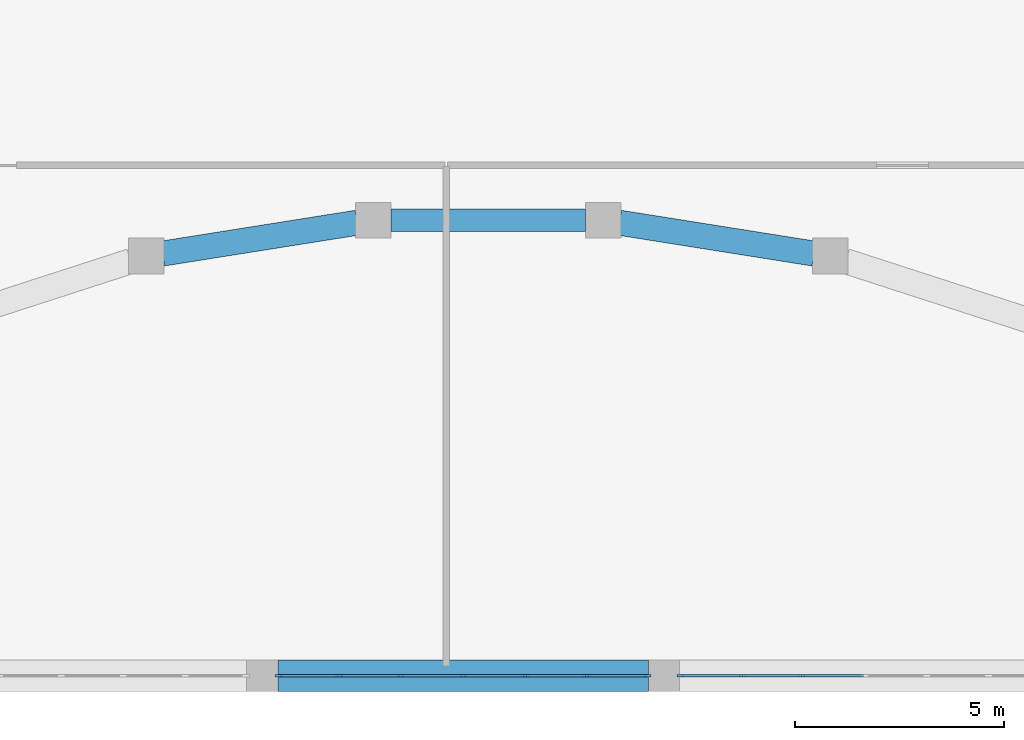
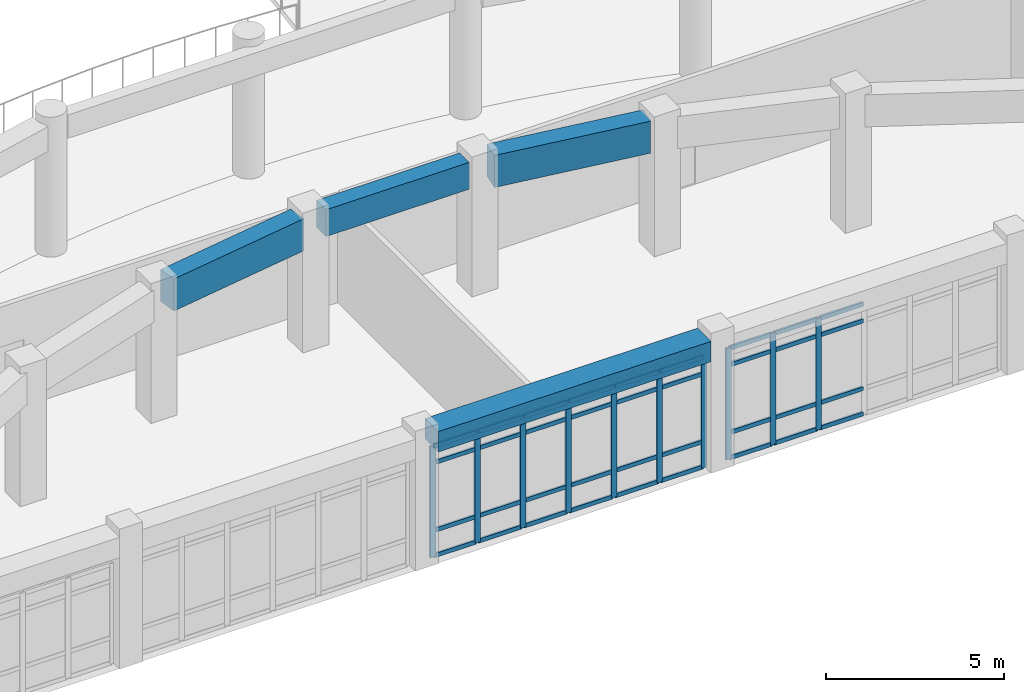
# One storey, part 13 of 68: 46 members, 4 beams, 2 elements without a shape of their own.
"""IFC4 building model written with IfcOpenShell, lengths in metres."""

import ifcopenshell
import ifcopenshell.guid

model = None  # the IFC model being written
_history = None  # IfcOwnerHistory: only IFC2X3 demands one
_inside = {}  # id of a spatial element -> (the spatial element, [elements in it])
_under = {}  # id of a project, library or spatial element -> (it, [spatial elements below it])
_declared = {}  # id of a project -> (the project, [libraries it declares])
_typed = {}  # id of a type object -> (the type object, [elements of that type])
_made_of = {}  # id of a material, layer set ... -> (it, [elements and type objects made of it])


def new_model(schema):
    """Start an empty IFC model of exactly this schema.

    Asked for "IFC4X3", IfcOpenShell would pick the latest addendum, in which some entities
    have other attributes; the version numbers below select the first issue.
    IFC2X3 requires an IfcOwnerHistory on every rooted entity: one is made here for all.
    """
    global model, _history
    if schema == "IFC4X3":
        model = ifcopenshell.file(schema_version=(4, 3, 0, 0))
    else:
        model = ifcopenshell.file(schema=schema)
    _inside.clear()
    _under.clear()
    _declared.clear()
    _typed.clear()
    _made_of.clear()
    _history = None
    if model.schema == "IFC2X3":
        org = make("IfcOrganization", Name="unknown")
        user = make(
            "IfcPersonAndOrganization",
            ThePerson=make("IfcPerson", FamilyName="unknown"),
            TheOrganization=org,
        )
        app = make(
            "IfcApplication",
            ApplicationDeveloper=org,
            Version="unknown",
            ApplicationFullName="unknown",
            ApplicationIdentifier="unknown",
        )
        _history = make(
            "IfcOwnerHistory",
            OwningUser=user,
            OwningApplication=app,
            ChangeAction="ADDED",
            CreationDate=0,
        )
    return model


def make(cls, **values):
    """One entity of the class cls with the attributes given. An attribute that is None is left unset."""
    return model.create_entity(
        cls, **{name: value for name, value in values.items() if value is not None}
    )


def rooted(cls, **values):
    """An entity with a GlobalId (a new one), such as an element, a storey or a relation."""
    return make(cls, GlobalId=ifcopenshell.guid.new(), OwnerHistory=_history, **values)


def si_unit(unit_type, name, prefix=None):
    """IfcSIUnit, for example si_unit("LENGTHUNIT", "METRE", prefix="MILLI")."""
    return make("IfcSIUnit", UnitType=unit_type, Prefix=prefix, Name=name)


def assignment(units):
    """IfcUnitAssignment: the units of a project."""
    return None if units is None else make("IfcUnitAssignment", Units=units)


def point(xyz):
    """IfcCartesianPoint."""
    return None if xyz is None else make("IfcCartesianPoint", Coordinates=xyz)


def direction(xyz):
    """IfcDirection."""
    return None if xyz is None else make("IfcDirection", DirectionRatios=xyz)


def frame(location, z_axis=None, x_axis=None):
    """IfcAxis2Placement3D, a coordinate frame: its origin and axes. An axis left out is left unset."""
    return make(
        "IfcAxis2Placement3D",
        Location=point(location),
        Axis=direction(z_axis),
        RefDirection=direction(x_axis),
    )


def frame_2d(location, x_axis=None):
    """IfcAxis2Placement2D, a coordinate frame in the plane: its origin and x axis."""
    return make(
        "IfcAxis2Placement2D", Location=point(location), RefDirection=direction(x_axis)
    )


def origin():
    """The frame at (0, 0, 0) with its axes left unset."""
    return frame((0.0, 0.0, 0.0))


def origin_2d():
    """The frame at (0, 0) in the plane with its x axis left unset."""
    return frame_2d((0.0, 0.0))


def place(relative_to, where):
    """IfcLocalPlacement: puts the frame where relative to a parent placement (None: the world)."""
    return make(
        "IfcLocalPlacement", PlacementRelTo=relative_to, RelativePlacement=where
    )


def context(
    kind, dimensions, precision=None, world=None, true_north=None, identifier=None
):
    """IfcGeometricRepresentationContext, for example the 3D "Model" context."""
    return make(
        "IfcGeometricRepresentationContext",
        ContextIdentifier=identifier,
        ContextType=kind,
        CoordinateSpaceDimension=dimensions,
        Precision=precision,
        WorldCoordinateSystem=world,
        TrueNorth=true_north,
    )


def subcontext(parent, identifier, kind, view, scale=None):
    """IfcGeometricRepresentationSubContext, for example "Body" below "Model"."""
    return make(
        "IfcGeometricRepresentationSubContext",
        ContextIdentifier=identifier,
        ContextType=kind,
        ParentContext=parent,
        TargetScale=scale,
        TargetView=view,
    )


def project(units=None, contexts=None):
    """IfcProject with its units and contexts."""
    return rooted(
        "IfcProject",
        Name="project",
        RepresentationContexts=contexts,
        UnitsInContext=assignment(units),
    )


def spatial(cls, under=None, at=None, **own):
    """A site, building, storey or space (cls), placed at a placement, below another one or the project."""
    s = rooted(cls, ObjectPlacement=at, **own)
    if under is not None:
        _under.setdefault(under.id(), (under, []))[1].append(s)
    return s


def profile(cls, at=None, kind="AREA", **sizes):
    """A parametric profile (cls). Its sizes go by their IFC names, for example OverallWidth=200.0."""
    return make(cls, ProfileType=kind, Position=at, **sizes)


def rectangle(**sizes):
    """IfcRectangleProfileDef."""
    return profile("IfcRectangleProfileDef", **sizes)


def extrude(swept, where, along, depth):
    """IfcExtrudedAreaSolid: the profile swept, set in the frame where, extruded along a direction by depth."""
    return make(
        "IfcExtrudedAreaSolid",
        SweptArea=swept,
        Position=where,
        ExtrudedDirection=direction(along),
        Depth=depth,
    )


def shape(context_of_items, identifier, shape_type, items):
    """IfcShapeRepresentation: the items that make up one representation, for example the "Body"."""
    return make(
        "IfcShapeRepresentation",
        ContextOfItems=context_of_items,
        RepresentationIdentifier=identifier,
        RepresentationType=shape_type,
        Items=items,
    )


def material(Name=None, Category=None):
    """IfcMaterial."""
    return make("IfcMaterial", Name=Name, Category=Category)


def layer(
    of_material, thickness, ventilated=None, Name=None, Category=None, Priority=None
):
    """IfcMaterialLayer: one layer of a wall or slab, of a material (None: an air gap)."""
    return make(
        "IfcMaterialLayer",
        Material=of_material,
        LayerThickness=thickness,
        IsVentilated=ventilated,
        Name=Name,
        Category=Category,
        Priority=Priority,
    )


def layer_set(layers, Name=None):
    """IfcMaterialLayerSet."""
    return make("IfcMaterialLayerSet", MaterialLayers=layers, LayerSetName=Name)


def material_profile(
    of_material, cross_section, Name=None, Category=None, Priority=None
):
    """IfcMaterialProfile: a cross section and its material."""
    return make(
        "IfcMaterialProfile",
        Name=Name,
        Material=of_material,
        Profile=cross_section,
        Priority=Priority,
        Category=Category,
    )


def profile_set(profiles, Name=None, composite=None):
    """IfcMaterialProfileSet."""
    return make(
        "IfcMaterialProfileSet",
        Name=Name,
        MaterialProfiles=profiles,
        CompositeProfile=composite,
    )


def made_of(thing, what):
    """Note that an element or type object is made of a material, layer set ...; save() writes the relation."""
    if what is not None:
        _made_of.setdefault(what.id(), (what, []))[1].append(thing)
    return thing


def type_object(cls, material=None, **own):
    """A type object (cls), such as IfcWallType, which elements share."""
    return made_of(rooted(cls, **own), material)


def element(
    cls,
    number,
    at=None,
    inside=None,
    cuts=None,
    type_object=None,
    material=None,
    context=None,
    identifier="Body",
    shape_type=None,
    held_by="IfcProductDefinitionShape",
    body=None,
    shapes=None,
    **own,
):
    """One element of the class cls, such as IfcWall. Its Tag is "e" and its number.

    at: its placement. inside: the storey or other place that contains it. cuts: it is an
    opening in that element (IfcRelVoidsElement). A single representation is given by context,
    identifier, shape_type and body (its items); several are given by shapes. held_by: the class
    of the entity that holds the representations. save() writes the other relations.
    """
    e = rooted(cls, Tag="e%d" % number, ObjectPlacement=at, **own)
    if body is not None:
        shapes = [shape(context, identifier, shape_type, body)]
    if shapes is not None:
        e.Representation = make(held_by, Representations=shapes)
    if inside is not None:
        _inside.setdefault(inside.id(), (inside, []))[1].append(e)
    if cuts is not None:
        rooted(
            "IfcRelVoidsElement", RelatingBuildingElement=cuts, RelatedOpeningElement=e
        )
    if type_object is not None:
        _typed.setdefault(type_object.id(), (type_object, []))[1].append(e)
    return made_of(e, material)


def aggregate(whole, parts):
    """IfcRelAggregates: a whole, such as a stair, and the parts it consists of."""
    return rooted("IfcRelAggregates", RelatingObject=whole, RelatedObjects=parts)


def save(model, path):
    """Write the relations noted so far, then the file.

    IfcRelAggregates (storeys below a building ...), IfcRelContainedInSpatialStructure (elements
    in a storey), IfcRelDefinesByType, IfcRelAssociatesMaterial and IfcRelDeclares: one each for
    every whole, place, type object, material and project.
    """
    for whole, parts in _under.values():
        aggregate(whole, parts)
    for where, things in _inside.values():
        rooted(
            "IfcRelContainedInSpatialStructure",
            RelatedElements=things,
            RelatingStructure=where,
        )
    for kind, things in _typed.values():
        rooted("IfcRelDefinesByType", RelatedObjects=things, RelatingType=kind)
    for what, things in _made_of.values():
        rooted("IfcRelAssociatesMaterial", RelatedObjects=things, RelatingMaterial=what)
    for by, libraries in _declared.values():
        rooted("IfcRelDeclares", RelatingContext=by, RelatedDefinitions=libraries)
    model.write(path)


model = new_model("IFC4")

# Units and contexts
model_context = context("Model", 3, precision=1e-05, world=origin(), true_north=direction((0.0, 1.0)))
body_context = subcontext(model_context, "Body", "Model", "MODEL_VIEW")
ifc_project = project(units=[si_unit("LENGTHUNIT", "METRE"), si_unit("AREAUNIT", "SQUARE_METRE"), si_unit("VOLUMEUNIT", "CUBIC_METRE"), si_unit("PLANEANGLEUNIT", "RADIAN"), si_unit("MASSUNIT", "GRAM", prefix="KILO")], contexts=[model_context])

# Site, building, storey
site_placement = place(None, origin())
site = spatial("IfcSite", under=ifc_project, at=site_placement, CompositionType="ELEMENT")
building_placement = place(site_placement, origin())
building = spatial("IfcBuilding", under=site, at=building_placement, Name="Miralva Faculty of Natural Sciences", CompositionType="ELEMENT")
storey_placement = place(building_placement, frame((0.0, 0.0, 5.39990234375)))
storey = spatial("IfcBuildingStorey", under=building, at=storey_placement, Name="L01", CompositionType="ELEMENT", Elevation=5.39990234375)

# Beams
ifc_material_1 = material(Name="Concrete C40/50", Category="concrete")
ifc_material_profile_1 = material_profile(ifc_material_1, rectangle(XDim=0.5400390625, YDim=0.919921875, at=origin_2d()), Name="RC 540x920")
ifc_profile_set_1 = profile_set([ifc_material_profile_1], Name="Concrete C40/50")
beam_type_1 = type_object("IfcBeamType", Name="BM-BG21", PredefinedType="BEAM", material=ifc_profile_set_1)
beam_1_placement = place(storey_placement, frame((87.675048828125, 13.889892578125, 4.070068359375), z_axis=(1.0, 0.0, 0.0), x_axis=(0.0, 1.0, 0.0)))
element("IfcBeam", 1, at=beam_1_placement, inside=storey, type_object=beam_type_1, Name="Girder EW L01-19", PredefinedType="BEAM", context=body_context, shape_type="SweptSolid", body=[
    extrude(rectangle(XDim=0.5400390625, YDim=0.919921875, at=origin_2d()), origin(), (0.0, 0.0, 1.0), 4.64990234375),
])
ifc_material_profile_2 = material_profile(ifc_material_1, rectangle(XDim=0.75, YDim=0.699951171875, at=origin_2d()), Name="RC 750x700")
ifc_profile_set_2 = profile_set([ifc_material_profile_2], Name="Concrete C40/50")
beam_type_2 = type_object("IfcBeamType", Name="BM-SP01", PredefinedType="SPANDREL", material=ifc_profile_set_2)
beam_2_placement = place(storey_placement, frame((84.97509765625, 3.0, 4.18017578125), z_axis=(1.0, 0.0, 0.0), x_axis=(0.0, 1.0, 0.0)))
element("IfcBeam", 2, at=beam_2_placement, inside=storey, type_object=beam_type_2, Name="Girder EW L01-8", PredefinedType="SPANDREL", context=body_context, shape_type="SweptSolid", body=[
    extrude(rectangle(XDim=0.75, YDim=0.699951171875, at=origin_2d()), origin(), (0.0, 0.0, 1.0), 8.849853515625),
])
ifc_material_profile_3 = material_profile(ifc_material_1, rectangle(XDim=0.60009765625, YDim=1.10009765625, at=origin_2d()), Name="RC 600x1100")
ifc_profile_set_3 = profile_set([ifc_material_profile_3], Name="Concrete C40/50")
beam_type_3 = type_object("IfcBeamType", Name="BM-TG01", PredefinedType="BEAM", material=ifc_profile_set_3)
for number, where, z_axis, x_axis, name in (
    (3, (97.78369140625, 13.09130859375, 4.0), (-0.987648276041, 0.156687213367, 0.0), (-0.156687213367, -0.987648276041, 0.0), "Curved chord girder SHIN L01-3"),
    (4, (86.86376953125, 13.82861328125, 4.0), (-0.987648276041, -0.156687213367, 0.0), (0.156687213367, -0.987648276041, 0.0), "Curved chord girder SHIN L01-5"),
):
    element("IfcBeam", number, at=place(storey_placement, frame(where, z_axis=z_axis, x_axis=x_axis)), inside=storey, type_object=beam_type_3, Name=name, PredefinedType="BEAM", context=body_context, shape_type="SweptSolid", body=[
        extrude(rectangle(XDim=0.60009765625, YDim=1.10009765625, at=origin_2d()), origin(), (0.0, 0.0, 1.0), 4.70556640625),
    ])

# Curtain wall, members
ifc_material_2 = material(Name="Laminated solar-control glass", Category="glass")
ifc_layer = layer(ifc_material_2, 0.179931640625, Name="CW-LEC-L01")
ifc_layer_set = layer_set([ifc_layer], Name="Laminated solar-control glass")
curtain_wall_type = type_object("IfcCurtainWallType", Name="CW-LEC-L01", PredefinedType="USERDEFINED", material=ifc_layer_set)
curtain_wall_1_placement = place(storey_placement, origin())
curtain_wall_1 = element("IfcCurtainWall", 5, at=curtain_wall_1_placement, inside=storey, type_object=curtain_wall_type, Name="Curtain wall CW-08 L01-208", ObjectType="UNITISED CURTAIN WALL", PredefinedType="USERDEFINED")
ifc_material_3 = material(Name="Anodised aluminium", Category="aluminium")
ifc_material_profile_4 = material_profile(ifc_material_3, rectangle(XDim=0.06494140625, YDim=0.179931640625, at=origin_2d()), Name="MULLION 65x180")
ifc_profile_set_4 = profile_set([ifc_material_profile_4], Name="Anodised aluminium")
member_type_1 = type_object("IfcMemberType", Name="CW-M01", PredefinedType="MULLION", material=ifc_profile_set_4)
member_1_placement = place(storey_placement, frame((84.99755859375, 3.0, 0.0), z_axis=(0.0, 0.0, 1.0), x_axis=(0.0, 1.0, 0.0)))
member_1 = element("IfcMember", 6, at=member_1_placement, type_object=member_type_1, Name="CW-08 mullion 1", PredefinedType="MULLION", context=body_context, shape_type="SweptSolid", body=[
    extrude(rectangle(XDim=0.06494140625, YDim=0.179931640625, at=origin_2d()), origin(), (0.0, 0.0, 1.0), 3.8251953125),
])
member_2_placement = place(storey_placement, frame((86.443359375, 3.0, 0.0), z_axis=(0.0, 0.0, 1.0), x_axis=(0.0, 1.0, 0.0)))
member_2 = element("IfcMember", 7, at=member_2_placement, type_object=member_type_1, Name="CW-08 mullion 2", PredefinedType="MULLION", context=body_context, shape_type="SweptSolid", body=[
    extrude(rectangle(XDim=0.06494140625, YDim=0.179931640625, at=origin_2d()), origin(), (0.0, 0.0, 1.0), 3.8251953125),
])
member_3_placement = place(storey_placement, frame((87.921630859375, 3.0, 0.0), z_axis=(0.0, 0.0, 1.0), x_axis=(0.0, 1.0, 0.0)))
member_3 = element("IfcMember", 8, at=member_3_placement, type_object=member_type_1, Name="CW-08 mullion 3", PredefinedType="MULLION", context=body_context, shape_type="SweptSolid", body=[
    extrude(rectangle(XDim=0.06494140625, YDim=0.179931640625, at=origin_2d()), origin(), (0.0, 0.0, 1.0), 3.8251953125),
])
member_4_placement = place(storey_placement, frame((89.39990234375, 3.0, 0.0), z_axis=(0.0, 0.0, 1.0), x_axis=(0.0, 1.0, 0.0)))
member_4 = element("IfcMember", 9, at=member_4_placement, type_object=member_type_1, Name="CW-08 mullion 4", PredefinedType="MULLION", context=body_context, shape_type="SweptSolid", body=[
    extrude(rectangle(XDim=0.06494140625, YDim=0.179931640625, at=origin_2d()), origin(), (0.0, 0.0, 1.0), 3.8251953125),
])
member_5_placement = place(storey_placement, frame((90.87841796875, 3.0, 0.0), z_axis=(0.0, 0.0, 1.0), x_axis=(0.0, 1.0, 0.0)))
member_5 = element("IfcMember", 10, at=member_5_placement, type_object=member_type_1, Name="CW-08 mullion 5", PredefinedType="MULLION", context=body_context, shape_type="SweptSolid", body=[
    extrude(rectangle(XDim=0.06494140625, YDim=0.179931640625, at=origin_2d()), origin(), (0.0, 0.0, 1.0), 3.8251953125),
])
member_6_placement = place(storey_placement, frame((92.356689453125, 3.0, 0.0), z_axis=(0.0, 0.0, 1.0), x_axis=(0.0, 1.0, 0.0)))
member_6 = element("IfcMember", 11, at=member_6_placement, type_object=member_type_1, Name="CW-08 mullion 6", PredefinedType="MULLION", context=body_context, shape_type="SweptSolid", body=[
    extrude(rectangle(XDim=0.06494140625, YDim=0.179931640625, at=origin_2d()), origin(), (0.0, 0.0, 1.0), 3.8251953125),
])
member_7_placement = place(storey_placement, frame((93.802490234375, 3.0, 0.0), z_axis=(0.0, 0.0, 1.0), x_axis=(0.0, 1.0, 0.0)))
member_7 = element("IfcMember", 12, at=member_7_placement, type_object=member_type_1, Name="CW-08 mullion 7", PredefinedType="MULLION", context=body_context, shape_type="SweptSolid", body=[
    extrude(rectangle(XDim=0.06494140625, YDim=0.179931640625, at=origin_2d()), origin(), (0.0, 0.0, 1.0), 3.8251953125),
])

curtain_wall_2_placement = place(storey_placement, origin())
curtain_wall_2 = element("IfcCurtainWall", 13, at=curtain_wall_2_placement, inside=storey, type_object=curtain_wall_type, Name="Curtain wall CW-08 L01-209", ObjectType="UNITISED CURTAIN WALL", PredefinedType="USERDEFINED")
member_8_placement = place(storey_placement, frame((94.597412109375, 3.0, 0.0), z_axis=(0.0, 0.0, 1.0), x_axis=(0.0, 1.0, 0.0)))
member_8 = element("IfcMember", 14, at=member_8_placement, type_object=member_type_1, Name="CW-08 mullion 1", PredefinedType="MULLION", context=body_context, shape_type="SweptSolid", body=[
    extrude(rectangle(XDim=0.06494140625, YDim=0.179931640625, at=origin_2d()), origin(), (0.0, 0.0, 1.0), 3.8251953125),
])
member_9_placement = place(storey_placement, frame((96.043212890625, 3.0, 0.0), z_axis=(0.0, 0.0, 1.0), x_axis=(0.0, 1.0, 0.0)))
member_9 = element("IfcMember", 15, at=member_9_placement, type_object=member_type_1, Name="CW-08 mullion 2", PredefinedType="MULLION", context=body_context, shape_type="SweptSolid", body=[
    extrude(rectangle(XDim=0.06494140625, YDim=0.179931640625, at=origin_2d()), origin(), (0.0, 0.0, 1.0), 3.8251953125),
])
member_10_placement = place(storey_placement, frame((97.521728515625, 3.0, 0.0), z_axis=(0.0, 0.0, 1.0), x_axis=(0.0, 1.0, 0.0)))
member_10 = element("IfcMember", 16, at=member_10_placement, type_object=member_type_1, Name="CW-08 mullion 3", PredefinedType="MULLION", context=body_context, shape_type="SweptSolid", body=[
    extrude(rectangle(XDim=0.06494140625, YDim=0.179931640625, at=origin_2d()), origin(), (0.0, 0.0, 1.0), 3.8251953125),
])

# Member
ifc_material_profile_5 = material_profile(ifc_material_3, rectangle(XDim=0.06494140625, YDim=0.139892578125, at=origin_2d()), Name="TRANSOM 65x140")
ifc_profile_set_5 = profile_set([ifc_material_profile_5], Name="Anodised aluminium")
member_type_2 = type_object("IfcMemberType", Name="CW-T01", PredefinedType="USERDEFINED", material=ifc_profile_set_5)
member_11_placement = place(storey_placement, frame((85.030029296875, 3.0, 0.03271484375), z_axis=(1.0, 0.0, 0.0), x_axis=(0.0, 1.0, 0.0)))
member_11 = element("IfcMember", 17, at=member_11_placement, type_object=member_type_2, Name="CW-08 transom 1.1", ObjectType="TRANSOM", PredefinedType="USERDEFINED", context=body_context, shape_type="SweptSolid", body=[
    extrude(rectangle(XDim=0.06494140625, YDim=0.139892578125, at=origin_2d()), origin(), (0.0, 0.0, 1.0), 1.380859375),
])

member_12_placement = place(storey_placement, frame((85.030029296875, 3.0, 0.900146484375), z_axis=(1.0, 0.0, 0.0), x_axis=(0.0, 1.0, 0.0)))
member_12 = element("IfcMember", 18, at=member_12_placement, type_object=member_type_2, Name="CW-08 transom 1.2", ObjectType="TRANSOM", PredefinedType="USERDEFINED", context=body_context, shape_type="SweptSolid", body=[
    extrude(rectangle(XDim=0.06494140625, YDim=0.139892578125, at=origin_2d()), origin(), (0.0, 0.0, 1.0), 1.380859375),
])

member_13_placement = place(storey_placement, frame((85.030029296875, 3.0, 3.22509765625), z_axis=(1.0, 0.0, 0.0), x_axis=(0.0, 1.0, 0.0)))
member_13 = element("IfcMember", 19, at=member_13_placement, type_object=member_type_2, Name="CW-08 transom 1.3", ObjectType="TRANSOM", PredefinedType="USERDEFINED", context=body_context, shape_type="SweptSolid", body=[
    extrude(rectangle(XDim=0.06494140625, YDim=0.139892578125, at=origin_2d()), origin(), (0.0, 0.0, 1.0), 1.380859375),
])

member_14_placement = place(storey_placement, frame((85.030029296875, 3.0, 3.79248046875), z_axis=(1.0, 0.0, 0.0), x_axis=(0.0, 1.0, 0.0)))
member_14 = element("IfcMember", 20, at=member_14_placement, type_object=member_type_2, Name="CW-08 transom 1.4", ObjectType="TRANSOM", PredefinedType="USERDEFINED", context=body_context, shape_type="SweptSolid", body=[
    extrude(rectangle(XDim=0.06494140625, YDim=0.139892578125, at=origin_2d()), origin(), (0.0, 0.0, 1.0), 1.380859375),
])

member_15_placement = place(storey_placement, frame((86.475830078125, 3.0, 0.03271484375), z_axis=(1.0, 0.0, 0.0), x_axis=(0.0, 1.0, 0.0)))
member_15 = element("IfcMember", 21, at=member_15_placement, type_object=member_type_2, Name="CW-08 transom 2.1", ObjectType="TRANSOM", PredefinedType="USERDEFINED", context=body_context, shape_type="SweptSolid", body=[
    extrude(rectangle(XDim=0.06494140625, YDim=0.139892578125, at=origin_2d()), origin(), (0.0, 0.0, 1.0), 1.413330078125),
])

member_16_placement = place(storey_placement, frame((86.475830078125, 3.0, 0.900146484375), z_axis=(1.0, 0.0, 0.0), x_axis=(0.0, 1.0, 0.0)))
member_16 = element("IfcMember", 22, at=member_16_placement, type_object=member_type_2, Name="CW-08 transom 2.2", ObjectType="TRANSOM", PredefinedType="USERDEFINED", context=body_context, shape_type="SweptSolid", body=[
    extrude(rectangle(XDim=0.06494140625, YDim=0.139892578125, at=origin_2d()), origin(), (0.0, 0.0, 1.0), 1.413330078125),
])

member_17_placement = place(storey_placement, frame((86.475830078125, 3.0, 3.22509765625), z_axis=(1.0, 0.0, 0.0), x_axis=(0.0, 1.0, 0.0)))
member_17 = element("IfcMember", 23, at=member_17_placement, type_object=member_type_2, Name="CW-08 transom 2.3", ObjectType="TRANSOM", PredefinedType="USERDEFINED", context=body_context, shape_type="SweptSolid", body=[
    extrude(rectangle(XDim=0.06494140625, YDim=0.139892578125, at=origin_2d()), origin(), (0.0, 0.0, 1.0), 1.413330078125),
])

member_18_placement = place(storey_placement, frame((86.475830078125, 3.0, 3.79248046875), z_axis=(1.0, 0.0, 0.0), x_axis=(0.0, 1.0, 0.0)))
member_18 = element("IfcMember", 24, at=member_18_placement, type_object=member_type_2, Name="CW-08 transom 2.4", ObjectType="TRANSOM", PredefinedType="USERDEFINED", context=body_context, shape_type="SweptSolid", body=[
    extrude(rectangle(XDim=0.06494140625, YDim=0.139892578125, at=origin_2d()), origin(), (0.0, 0.0, 1.0), 1.413330078125),
])

member_19_placement = place(storey_placement, frame((87.9541015625, 3.0, 0.03271484375), z_axis=(1.0, 0.0, 0.0), x_axis=(0.0, 1.0, 0.0)))
member_19 = element("IfcMember", 25, at=member_19_placement, type_object=member_type_2, Name="CW-08 transom 3.1", ObjectType="TRANSOM", PredefinedType="USERDEFINED", context=body_context, shape_type="SweptSolid", body=[
    extrude(rectangle(XDim=0.06494140625, YDim=0.139892578125, at=origin_2d()), origin(), (0.0, 0.0, 1.0), 1.413330078125),
])

member_20_placement = place(storey_placement, frame((87.9541015625, 3.0, 0.900146484375), z_axis=(1.0, 0.0, 0.0), x_axis=(0.0, 1.0, 0.0)))
member_20 = element("IfcMember", 26, at=member_20_placement, type_object=member_type_2, Name="CW-08 transom 3.2", ObjectType="TRANSOM", PredefinedType="USERDEFINED", context=body_context, shape_type="SweptSolid", body=[
    extrude(rectangle(XDim=0.06494140625, YDim=0.139892578125, at=origin_2d()), origin(), (0.0, 0.0, 1.0), 1.413330078125),
])

member_21_placement = place(storey_placement, frame((87.9541015625, 3.0, 3.22509765625), z_axis=(1.0, 0.0, 0.0), x_axis=(0.0, 1.0, 0.0)))
member_21 = element("IfcMember", 27, at=member_21_placement, type_object=member_type_2, Name="CW-08 transom 3.3", ObjectType="TRANSOM", PredefinedType="USERDEFINED", context=body_context, shape_type="SweptSolid", body=[
    extrude(rectangle(XDim=0.06494140625, YDim=0.139892578125, at=origin_2d()), origin(), (0.0, 0.0, 1.0), 1.413330078125),
])

member_22_placement = place(storey_placement, frame((87.9541015625, 3.0, 3.79248046875), z_axis=(1.0, 0.0, 0.0), x_axis=(0.0, 1.0, 0.0)))
member_22 = element("IfcMember", 28, at=member_22_placement, type_object=member_type_2, Name="CW-08 transom 3.4", ObjectType="TRANSOM", PredefinedType="USERDEFINED", context=body_context, shape_type="SweptSolid", body=[
    extrude(rectangle(XDim=0.06494140625, YDim=0.139892578125, at=origin_2d()), origin(), (0.0, 0.0, 1.0), 1.413330078125),
])

member_23_placement = place(storey_placement, frame((89.4326171875, 3.0, 0.03271484375), z_axis=(1.0, 0.0, 0.0), x_axis=(0.0, 1.0, 0.0)))
member_23 = element("IfcMember", 29, at=member_23_placement, type_object=member_type_2, Name="CW-08 transom 4.1", ObjectType="TRANSOM", PredefinedType="USERDEFINED", context=body_context, shape_type="SweptSolid", body=[
    extrude(rectangle(XDim=0.06494140625, YDim=0.139892578125, at=origin_2d()), origin(), (0.0, 0.0, 1.0), 1.413330078125),
])

member_24_placement = place(storey_placement, frame((89.4326171875, 3.0, 0.900146484375), z_axis=(1.0, 0.0, 0.0), x_axis=(0.0, 1.0, 0.0)))
member_24 = element("IfcMember", 30, at=member_24_placement, type_object=member_type_2, Name="CW-08 transom 4.2", ObjectType="TRANSOM", PredefinedType="USERDEFINED", context=body_context, shape_type="SweptSolid", body=[
    extrude(rectangle(XDim=0.06494140625, YDim=0.139892578125, at=origin_2d()), origin(), (0.0, 0.0, 1.0), 1.413330078125),
])

member_25_placement = place(storey_placement, frame((89.4326171875, 3.0, 3.22509765625), z_axis=(1.0, 0.0, 0.0), x_axis=(0.0, 1.0, 0.0)))
member_25 = element("IfcMember", 31, at=member_25_placement, type_object=member_type_2, Name="CW-08 transom 4.3", ObjectType="TRANSOM", PredefinedType="USERDEFINED", context=body_context, shape_type="SweptSolid", body=[
    extrude(rectangle(XDim=0.06494140625, YDim=0.139892578125, at=origin_2d()), origin(), (0.0, 0.0, 1.0), 1.413330078125),
])

member_26_placement = place(storey_placement, frame((89.4326171875, 3.0, 3.79248046875), z_axis=(1.0, 0.0, 0.0), x_axis=(0.0, 1.0, 0.0)))
member_26 = element("IfcMember", 32, at=member_26_placement, type_object=member_type_2, Name="CW-08 transom 4.4", ObjectType="TRANSOM", PredefinedType="USERDEFINED", context=body_context, shape_type="SweptSolid", body=[
    extrude(rectangle(XDim=0.06494140625, YDim=0.139892578125, at=origin_2d()), origin(), (0.0, 0.0, 1.0), 1.413330078125),
])

member_27_placement = place(storey_placement, frame((90.910888671875, 3.0, 0.03271484375), z_axis=(1.0, 0.0, 0.0), x_axis=(0.0, 1.0, 0.0)))
member_27 = element("IfcMember", 33, at=member_27_placement, type_object=member_type_2, Name="CW-08 transom 5.1", ObjectType="TRANSOM", PredefinedType="USERDEFINED", context=body_context, shape_type="SweptSolid", body=[
    extrude(rectangle(XDim=0.06494140625, YDim=0.139892578125, at=origin_2d()), origin(), (0.0, 0.0, 1.0), 1.413330078125),
])

member_28_placement = place(storey_placement, frame((90.910888671875, 3.0, 0.900146484375), z_axis=(1.0, 0.0, 0.0), x_axis=(0.0, 1.0, 0.0)))
member_28 = element("IfcMember", 34, at=member_28_placement, type_object=member_type_2, Name="CW-08 transom 5.2", ObjectType="TRANSOM", PredefinedType="USERDEFINED", context=body_context, shape_type="SweptSolid", body=[
    extrude(rectangle(XDim=0.06494140625, YDim=0.139892578125, at=origin_2d()), origin(), (0.0, 0.0, 1.0), 1.413330078125),
])

member_29_placement = place(storey_placement, frame((90.910888671875, 3.0, 3.22509765625), z_axis=(1.0, 0.0, 0.0), x_axis=(0.0, 1.0, 0.0)))
member_29 = element("IfcMember", 35, at=member_29_placement, type_object=member_type_2, Name="CW-08 transom 5.3", ObjectType="TRANSOM", PredefinedType="USERDEFINED", context=body_context, shape_type="SweptSolid", body=[
    extrude(rectangle(XDim=0.06494140625, YDim=0.139892578125, at=origin_2d()), origin(), (0.0, 0.0, 1.0), 1.413330078125),
])

member_30_placement = place(storey_placement, frame((90.910888671875, 3.0, 3.79248046875), z_axis=(1.0, 0.0, 0.0), x_axis=(0.0, 1.0, 0.0)))
member_30 = element("IfcMember", 36, at=member_30_placement, type_object=member_type_2, Name="CW-08 transom 5.4", ObjectType="TRANSOM", PredefinedType="USERDEFINED", context=body_context, shape_type="SweptSolid", body=[
    extrude(rectangle(XDim=0.06494140625, YDim=0.139892578125, at=origin_2d()), origin(), (0.0, 0.0, 1.0), 1.413330078125),
])

member_31_placement = place(storey_placement, frame((92.38916015625, 3.0, 0.03271484375), z_axis=(1.0, 0.0, 0.0), x_axis=(0.0, 1.0, 0.0)))
member_31 = element("IfcMember", 37, at=member_31_placement, type_object=member_type_2, Name="CW-08 transom 6.1", ObjectType="TRANSOM", PredefinedType="USERDEFINED", context=body_context, shape_type="SweptSolid", body=[
    extrude(rectangle(XDim=0.06494140625, YDim=0.139892578125, at=origin_2d()), origin(), (0.0, 0.0, 1.0), 1.380859375),
])

member_32_placement = place(storey_placement, frame((92.38916015625, 3.0, 0.900146484375), z_axis=(1.0, 0.0, 0.0), x_axis=(0.0, 1.0, 0.0)))
member_32 = element("IfcMember", 38, at=member_32_placement, type_object=member_type_2, Name="CW-08 transom 6.2", ObjectType="TRANSOM", PredefinedType="USERDEFINED", context=body_context, shape_type="SweptSolid", body=[
    extrude(rectangle(XDim=0.06494140625, YDim=0.139892578125, at=origin_2d()), origin(), (0.0, 0.0, 1.0), 1.380859375),
])

member_33_placement = place(storey_placement, frame((92.38916015625, 3.0, 3.22509765625), z_axis=(1.0, 0.0, 0.0), x_axis=(0.0, 1.0, 0.0)))
member_33 = element("IfcMember", 39, at=member_33_placement, type_object=member_type_2, Name="CW-08 transom 6.3", ObjectType="TRANSOM", PredefinedType="USERDEFINED", context=body_context, shape_type="SweptSolid", body=[
    extrude(rectangle(XDim=0.06494140625, YDim=0.139892578125, at=origin_2d()), origin(), (0.0, 0.0, 1.0), 1.380859375),
])

member_34_placement = place(storey_placement, frame((92.38916015625, 3.0, 3.79248046875), z_axis=(1.0, 0.0, 0.0), x_axis=(0.0, 1.0, 0.0)))
member_34 = element("IfcMember", 40, at=member_34_placement, type_object=member_type_2, Name="CW-08 transom 6.4", ObjectType="TRANSOM", PredefinedType="USERDEFINED", context=body_context, shape_type="SweptSolid", body=[
    extrude(rectangle(XDim=0.06494140625, YDim=0.139892578125, at=origin_2d()), origin(), (0.0, 0.0, 1.0), 1.380859375),
])

aggregate(curtain_wall_1, [member_1, member_2, member_3, member_4, member_5, member_6, member_7, member_11, member_12, member_13, member_14, member_15, member_16, member_17, member_18, member_19, member_20, member_21, member_22, member_23, member_24, member_25, member_26, member_27, member_28, member_29, member_30, member_31, member_32, member_33, member_34])

member_35_placement = place(storey_placement, frame((94.6298828125, 3.0, 0.03271484375), z_axis=(1.0, 0.0, 0.0), x_axis=(0.0, 1.0, 0.0)))
member_35 = element("IfcMember", 41, at=member_35_placement, type_object=member_type_2, Name="CW-08 transom 1.1", ObjectType="TRANSOM", PredefinedType="USERDEFINED", context=body_context, shape_type="SweptSolid", body=[
    extrude(rectangle(XDim=0.06494140625, YDim=0.139892578125, at=origin_2d()), origin(), (0.0, 0.0, 1.0), 1.380859375),
])

member_36_placement = place(storey_placement, frame((94.6298828125, 3.0, 0.900146484375), z_axis=(1.0, 0.0, 0.0), x_axis=(0.0, 1.0, 0.0)))
member_36 = element("IfcMember", 42, at=member_36_placement, type_object=member_type_2, Name="CW-08 transom 1.2", ObjectType="TRANSOM", PredefinedType="USERDEFINED", context=body_context, shape_type="SweptSolid", body=[
    extrude(rectangle(XDim=0.06494140625, YDim=0.139892578125, at=origin_2d()), origin(), (0.0, 0.0, 1.0), 1.380859375),
])

member_37_placement = place(storey_placement, frame((94.6298828125, 3.0, 3.22509765625), z_axis=(1.0, 0.0, 0.0), x_axis=(0.0, 1.0, 0.0)))
member_37 = element("IfcMember", 43, at=member_37_placement, type_object=member_type_2, Name="CW-08 transom 1.3", ObjectType="TRANSOM", PredefinedType="USERDEFINED", context=body_context, shape_type="SweptSolid", body=[
    extrude(rectangle(XDim=0.06494140625, YDim=0.139892578125, at=origin_2d()), origin(), (0.0, 0.0, 1.0), 1.380859375),
])

member_38_placement = place(storey_placement, frame((94.6298828125, 3.0, 3.79248046875), z_axis=(1.0, 0.0, 0.0), x_axis=(0.0, 1.0, 0.0)))
member_38 = element("IfcMember", 44, at=member_38_placement, type_object=member_type_2, Name="CW-08 transom 1.4", ObjectType="TRANSOM", PredefinedType="USERDEFINED", context=body_context, shape_type="SweptSolid", body=[
    extrude(rectangle(XDim=0.06494140625, YDim=0.139892578125, at=origin_2d()), origin(), (0.0, 0.0, 1.0), 1.380859375),
])

member_39_placement = place(storey_placement, frame((96.075927734375, 3.0, 0.03271484375), z_axis=(1.0, 0.0, 0.0), x_axis=(0.0, 1.0, 0.0)))
member_39 = element("IfcMember", 45, at=member_39_placement, type_object=member_type_2, Name="CW-08 transom 2.1", ObjectType="TRANSOM", PredefinedType="USERDEFINED", context=body_context, shape_type="SweptSolid", body=[
    extrude(rectangle(XDim=0.06494140625, YDim=0.139892578125, at=origin_2d()), origin(), (0.0, 0.0, 1.0), 1.413330078125),
])

member_40_placement = place(storey_placement, frame((96.075927734375, 3.0, 0.900146484375), z_axis=(1.0, 0.0, 0.0), x_axis=(0.0, 1.0, 0.0)))
member_40 = element("IfcMember", 46, at=member_40_placement, type_object=member_type_2, Name="CW-08 transom 2.2", ObjectType="TRANSOM", PredefinedType="USERDEFINED", context=body_context, shape_type="SweptSolid", body=[
    extrude(rectangle(XDim=0.06494140625, YDim=0.139892578125, at=origin_2d()), origin(), (0.0, 0.0, 1.0), 1.413330078125),
])

member_41_placement = place(storey_placement, frame((96.075927734375, 3.0, 3.22509765625), z_axis=(1.0, 0.0, 0.0), x_axis=(0.0, 1.0, 0.0)))
member_41 = element("IfcMember", 47, at=member_41_placement, type_object=member_type_2, Name="CW-08 transom 2.3", ObjectType="TRANSOM", PredefinedType="USERDEFINED", context=body_context, shape_type="SweptSolid", body=[
    extrude(rectangle(XDim=0.06494140625, YDim=0.139892578125, at=origin_2d()), origin(), (0.0, 0.0, 1.0), 1.413330078125),
])

member_42_placement = place(storey_placement, frame((96.075927734375, 3.0, 3.79248046875), z_axis=(1.0, 0.0, 0.0), x_axis=(0.0, 1.0, 0.0)))
member_42 = element("IfcMember", 48, at=member_42_placement, type_object=member_type_2, Name="CW-08 transom 2.4", ObjectType="TRANSOM", PredefinedType="USERDEFINED", context=body_context, shape_type="SweptSolid", body=[
    extrude(rectangle(XDim=0.06494140625, YDim=0.139892578125, at=origin_2d()), origin(), (0.0, 0.0, 1.0), 1.413330078125),
])

member_43_placement = place(storey_placement, frame((97.55419921875, 3.0, 0.03271484375), z_axis=(1.0, 0.0, 0.0), x_axis=(0.0, 1.0, 0.0)))
member_43 = element("IfcMember", 49, at=member_43_placement, type_object=member_type_2, Name="CW-08 transom 3.1", ObjectType="TRANSOM", PredefinedType="USERDEFINED", context=body_context, shape_type="SweptSolid", body=[
    extrude(rectangle(XDim=0.06494140625, YDim=0.139892578125, at=origin_2d()), origin(), (0.0, 0.0, 1.0), 1.413330078125),
])

member_44_placement = place(storey_placement, frame((97.55419921875, 3.0, 0.900146484375), z_axis=(1.0, 0.0, 0.0), x_axis=(0.0, 1.0, 0.0)))
member_44 = element("IfcMember", 50, at=member_44_placement, type_object=member_type_2, Name="CW-08 transom 3.2", ObjectType="TRANSOM", PredefinedType="USERDEFINED", context=body_context, shape_type="SweptSolid", body=[
    extrude(rectangle(XDim=0.06494140625, YDim=0.139892578125, at=origin_2d()), origin(), (0.0, 0.0, 1.0), 1.413330078125),
])

member_45_placement = place(storey_placement, frame((97.55419921875, 3.0, 3.22509765625), z_axis=(1.0, 0.0, 0.0), x_axis=(0.0, 1.0, 0.0)))
member_45 = element("IfcMember", 51, at=member_45_placement, type_object=member_type_2, Name="CW-08 transom 3.3", ObjectType="TRANSOM", PredefinedType="USERDEFINED", context=body_context, shape_type="SweptSolid", body=[
    extrude(rectangle(XDim=0.06494140625, YDim=0.139892578125, at=origin_2d()), origin(), (0.0, 0.0, 1.0), 1.413330078125),
])

member_46_placement = place(storey_placement, frame((97.55419921875, 3.0, 3.79248046875), z_axis=(1.0, 0.0, 0.0), x_axis=(0.0, 1.0, 0.0)))
member_46 = element("IfcMember", 52, at=member_46_placement, type_object=member_type_2, Name="CW-08 transom 3.4", ObjectType="TRANSOM", PredefinedType="USERDEFINED", context=body_context, shape_type="SweptSolid", body=[
    extrude(rectangle(XDim=0.06494140625, YDim=0.139892578125, at=origin_2d()), origin(), (0.0, 0.0, 1.0), 1.413330078125),
])

aggregate(curtain_wall_2, [member_8, member_9, member_10, member_35, member_36, member_37, member_38, member_39, member_40, member_41, member_42, member_43, member_44, member_45, member_46])

save(model, "model.ifc")
